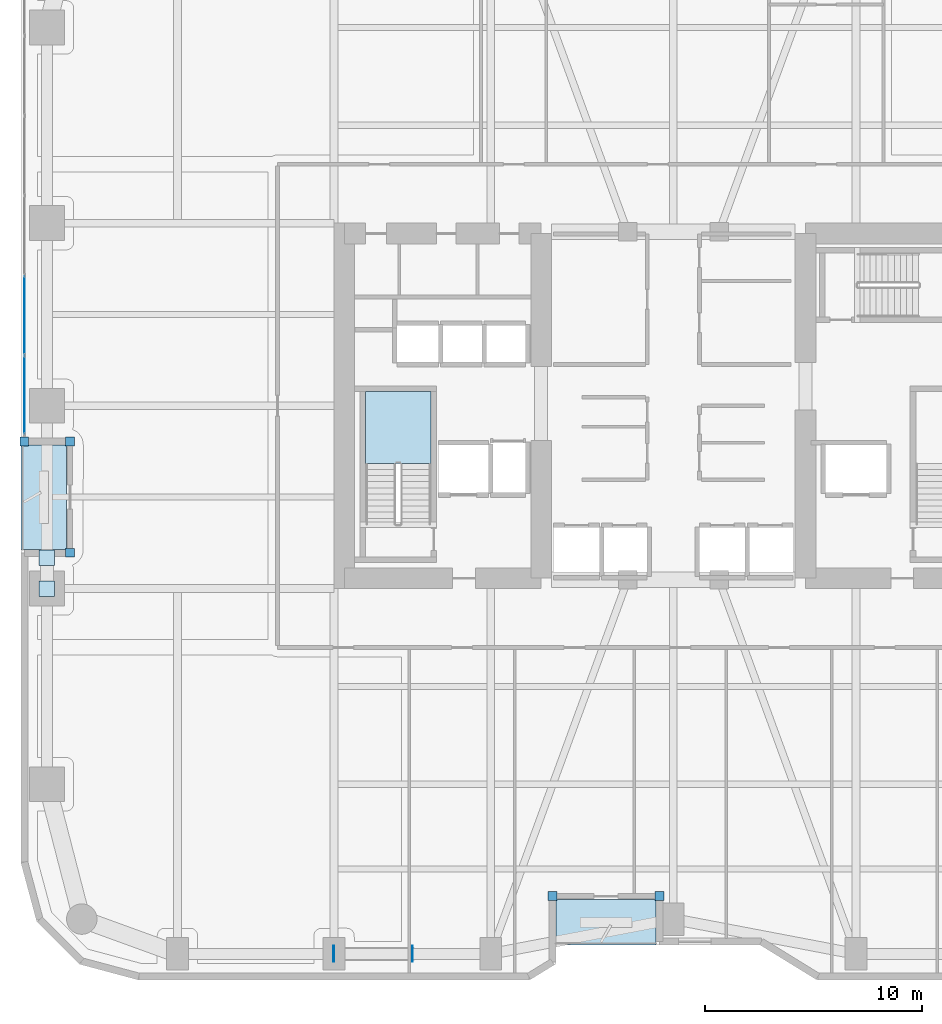
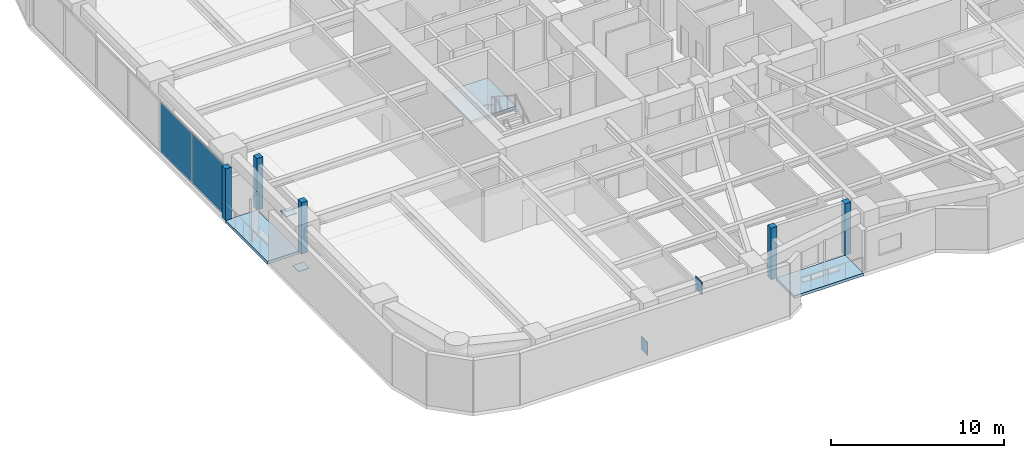
# One storey, part 19 of 29: 11 plates, 3 slabs, 2 elements without a shape of their own.
"""IFC4 building model written with IfcOpenShell, lengths in metres."""

import ifcopenshell
import ifcopenshell.guid

model = None  # the IFC model being written
_history = None  # IfcOwnerHistory: only IFC2X3 demands one
_inside = {}  # id of a spatial element -> (the spatial element, [elements in it])
_under = {}  # id of a project, library or spatial element -> (it, [spatial elements below it])
_declared = {}  # id of a project -> (the project, [libraries it declares])
_typed = {}  # id of a type object -> (the type object, [elements of that type])
_made_of = {}  # id of a material, layer set ... -> (it, [elements and type objects made of it])


def new_model(schema):
    """Start an empty IFC model of exactly this schema.

    Asked for "IFC4X3", IfcOpenShell would pick the latest addendum, in which some entities
    have other attributes; the version numbers below select the first issue.
    IFC2X3 requires an IfcOwnerHistory on every rooted entity: one is made here for all.
    """
    global model, _history
    if schema == "IFC4X3":
        model = ifcopenshell.file(schema_version=(4, 3, 0, 0))
    else:
        model = ifcopenshell.file(schema=schema)
    _inside.clear()
    _under.clear()
    _declared.clear()
    _typed.clear()
    _made_of.clear()
    _history = None
    if model.schema == "IFC2X3":
        org = make("IfcOrganization", Name="unknown")
        user = make(
            "IfcPersonAndOrganization",
            ThePerson=make("IfcPerson", FamilyName="unknown"),
            TheOrganization=org,
        )
        app = make(
            "IfcApplication",
            ApplicationDeveloper=org,
            Version="unknown",
            ApplicationFullName="unknown",
            ApplicationIdentifier="unknown",
        )
        _history = make(
            "IfcOwnerHistory",
            OwningUser=user,
            OwningApplication=app,
            ChangeAction="ADDED",
            CreationDate=0,
        )
    return model


def make(cls, **values):
    """One entity of the class cls with the attributes given. An attribute that is None is left unset."""
    return model.create_entity(
        cls, **{name: value for name, value in values.items() if value is not None}
    )


def rooted(cls, **values):
    """An entity with a GlobalId (a new one), such as an element, a storey or a relation."""
    return make(cls, GlobalId=ifcopenshell.guid.new(), OwnerHistory=_history, **values)


def si_unit(unit_type, name, prefix=None):
    """IfcSIUnit, for example si_unit("LENGTHUNIT", "METRE", prefix="MILLI")."""
    return make("IfcSIUnit", UnitType=unit_type, Prefix=prefix, Name=name)


def assignment(units):
    """IfcUnitAssignment: the units of a project."""
    return None if units is None else make("IfcUnitAssignment", Units=units)


def point(xyz):
    """IfcCartesianPoint."""
    return None if xyz is None else make("IfcCartesianPoint", Coordinates=xyz)


def direction(xyz):
    """IfcDirection."""
    return None if xyz is None else make("IfcDirection", DirectionRatios=xyz)


def frame(location, z_axis=None, x_axis=None):
    """IfcAxis2Placement3D, a coordinate frame: its origin and axes. An axis left out is left unset."""
    return make(
        "IfcAxis2Placement3D",
        Location=point(location),
        Axis=direction(z_axis),
        RefDirection=direction(x_axis),
    )


def frame_2d(location, x_axis=None):
    """IfcAxis2Placement2D, a coordinate frame in the plane: its origin and x axis."""
    return make(
        "IfcAxis2Placement2D", Location=point(location), RefDirection=direction(x_axis)
    )


def origin():
    """The frame at (0, 0, 0) with its axes left unset."""
    return frame((0.0, 0.0, 0.0))


def origin_2d():
    """The frame at (0, 0) in the plane with its x axis left unset."""
    return frame_2d((0.0, 0.0))


def place(relative_to, where):
    """IfcLocalPlacement: puts the frame where relative to a parent placement (None: the world)."""
    return make(
        "IfcLocalPlacement", PlacementRelTo=relative_to, RelativePlacement=where
    )


def context(
    kind, dimensions, precision=None, world=None, true_north=None, identifier=None
):
    """IfcGeometricRepresentationContext, for example the 3D "Model" context."""
    return make(
        "IfcGeometricRepresentationContext",
        ContextIdentifier=identifier,
        ContextType=kind,
        CoordinateSpaceDimension=dimensions,
        Precision=precision,
        WorldCoordinateSystem=world,
        TrueNorth=true_north,
    )


def subcontext(parent, identifier, kind, view, scale=None):
    """IfcGeometricRepresentationSubContext, for example "Body" below "Model"."""
    return make(
        "IfcGeometricRepresentationSubContext",
        ContextIdentifier=identifier,
        ContextType=kind,
        ParentContext=parent,
        TargetScale=scale,
        TargetView=view,
    )


def project(units=None, contexts=None):
    """IfcProject with its units and contexts."""
    return rooted(
        "IfcProject",
        Name="project",
        RepresentationContexts=contexts,
        UnitsInContext=assignment(units),
    )


def spatial(cls, under=None, at=None, **own):
    """A site, building, storey or space (cls), placed at a placement, below another one or the project."""
    s = rooted(cls, ObjectPlacement=at, **own)
    if under is not None:
        _under.setdefault(under.id(), (under, []))[1].append(s)
    return s


def polyline(points):
    """IfcPolyline through the points."""
    return make("IfcPolyline", Points=[point(p) for p in points])


def profile(cls, at=None, kind="AREA", **sizes):
    """A parametric profile (cls). Its sizes go by their IFC names, for example OverallWidth=200.0."""
    return make(cls, ProfileType=kind, Position=at, **sizes)


def rectangle(**sizes):
    """IfcRectangleProfileDef."""
    return profile("IfcRectangleProfileDef", **sizes)


def outline(outer, holes=None, kind="AREA"):
    """IfcArbitraryClosedProfileDef: a profile drawn as a closed curve; with holes, ...WithVoids."""
    if holes is None:
        return make("IfcArbitraryClosedProfileDef", ProfileType=kind, OuterCurve=outer)
    return make(
        "IfcArbitraryProfileDefWithVoids",
        ProfileType=kind,
        OuterCurve=outer,
        InnerCurves=holes,
    )


def extrude(swept, where, along, depth):
    """IfcExtrudedAreaSolid: the profile swept, set in the frame where, extruded along a direction by depth."""
    return make(
        "IfcExtrudedAreaSolid",
        SweptArea=swept,
        Position=where,
        ExtrudedDirection=direction(along),
        Depth=depth,
    )


def shape(context_of_items, identifier, shape_type, items):
    """IfcShapeRepresentation: the items that make up one representation, for example the "Body"."""
    return make(
        "IfcShapeRepresentation",
        ContextOfItems=context_of_items,
        RepresentationIdentifier=identifier,
        RepresentationType=shape_type,
        Items=items,
    )


def material(Name=None, Category=None):
    """IfcMaterial."""
    return make("IfcMaterial", Name=Name, Category=Category)


def layer(
    of_material, thickness, ventilated=None, Name=None, Category=None, Priority=None
):
    """IfcMaterialLayer: one layer of a wall or slab, of a material (None: an air gap)."""
    return make(
        "IfcMaterialLayer",
        Material=of_material,
        LayerThickness=thickness,
        IsVentilated=ventilated,
        Name=Name,
        Category=Category,
        Priority=Priority,
    )


def layer_set(layers, Name=None):
    """IfcMaterialLayerSet."""
    return make("IfcMaterialLayerSet", MaterialLayers=layers, LayerSetName=Name)


def made_of(thing, what):
    """Note that an element or type object is made of a material, layer set ...; save() writes the relation."""
    if what is not None:
        _made_of.setdefault(what.id(), (what, []))[1].append(thing)
    return thing


def type_object(cls, material=None, **own):
    """A type object (cls), such as IfcWallType, which elements share."""
    return made_of(rooted(cls, **own), material)


def element(
    cls,
    number,
    at=None,
    inside=None,
    cuts=None,
    type_object=None,
    material=None,
    context=None,
    identifier="Body",
    shape_type=None,
    held_by="IfcProductDefinitionShape",
    body=None,
    shapes=None,
    **own,
):
    """One element of the class cls, such as IfcWall. Its Tag is "e" and its number.

    at: its placement. inside: the storey or other place that contains it. cuts: it is an
    opening in that element (IfcRelVoidsElement). A single representation is given by context,
    identifier, shape_type and body (its items); several are given by shapes. held_by: the class
    of the entity that holds the representations. save() writes the other relations.
    """
    e = rooted(cls, Tag="e%d" % number, ObjectPlacement=at, **own)
    if body is not None:
        shapes = [shape(context, identifier, shape_type, body)]
    if shapes is not None:
        e.Representation = make(held_by, Representations=shapes)
    if inside is not None:
        _inside.setdefault(inside.id(), (inside, []))[1].append(e)
    if cuts is not None:
        rooted(
            "IfcRelVoidsElement", RelatingBuildingElement=cuts, RelatedOpeningElement=e
        )
    if type_object is not None:
        _typed.setdefault(type_object.id(), (type_object, []))[1].append(e)
    return made_of(e, material)


def aggregate(whole, parts):
    """IfcRelAggregates: a whole, such as a stair, and the parts it consists of."""
    return rooted("IfcRelAggregates", RelatingObject=whole, RelatedObjects=parts)


def save(model, path):
    """Write the relations noted so far, then the file.

    IfcRelAggregates (storeys below a building ...), IfcRelContainedInSpatialStructure (elements
    in a storey), IfcRelDefinesByType, IfcRelAssociatesMaterial and IfcRelDeclares: one each for
    every whole, place, type object, material and project.
    """
    for whole, parts in _under.values():
        aggregate(whole, parts)
    for where, things in _inside.values():
        rooted(
            "IfcRelContainedInSpatialStructure",
            RelatedElements=things,
            RelatingStructure=where,
        )
    for kind, things in _typed.values():
        rooted("IfcRelDefinesByType", RelatedObjects=things, RelatingType=kind)
    for what, things in _made_of.values():
        rooted("IfcRelAssociatesMaterial", RelatedObjects=things, RelatingMaterial=what)
    for by, libraries in _declared.values():
        rooted("IfcRelDeclares", RelatingContext=by, RelatedDefinitions=libraries)
    model.write(path)


model = new_model("IFC4")

# Units and contexts
model_context = context("Model", 3, precision=1e-05, world=origin(), true_north=direction((0.0, 1.0)))
body_context = subcontext(model_context, "Body", "Model", "MODEL_VIEW")
ifc_project = project(units=[si_unit("LENGTHUNIT", "METRE"), si_unit("AREAUNIT", "SQUARE_METRE"), si_unit("VOLUMEUNIT", "CUBIC_METRE"), si_unit("PLANEANGLEUNIT", "RADIAN"), si_unit("MASSUNIT", "GRAM", prefix="KILO")], contexts=[model_context])

# Site, building, storey
site_placement = place(None, origin())
site = spatial("IfcSite", under=ifc_project, at=site_placement, CompositionType="ELEMENT")
building_placement = place(site_placement, origin())
building = spatial("IfcBuilding", under=site, at=building_placement, Name="Kiyonajd Concourse Tower", CompositionType="ELEMENT")
storey_placement = place(building_placement, frame((0.0, 0.0, 48.89990234375)))
storey = spatial("IfcBuildingStorey", under=building, at=storey_placement, Name="L13", CompositionType="ELEMENT", Elevation=48.89990234375)

# Plates
ifc_material_1 = material(Name="Steel ASTM A572 Grade 50", Category="steel")
ifc_layer_1 = layer(ifc_material_1, 0.028076171875)
ifc_layer_set_1 = layer_set([ifc_layer_1], Name="Steel ASTM A572 Grade 50")
plate_type_1 = type_object("IfcPlateType", Name="PL-CAP-450", PredefinedType="USERDEFINED", material=ifc_layer_set_1)
for number, where, z_axis, x_axis, name in (
    (1, (32.3916015625, 10.800048828125, -0.17333984375), (0.0, 0.0, 1.0), (-1.0, 0.0, 0.0), "L13 Hollow Brace End Cap Plate PBS"),
    (2, (36.008544921875, 10.800048828125, 2.83056640625), (0.0, 0.0, 1.0), (1.0, 0.0, 0.0), "L13 Hollow Brace Top Cap Plate PBS"),
):
    element("IfcPlate", number, at=place(storey_placement, frame(where, z_axis=z_axis, x_axis=x_axis)), inside=storey, type_object=plate_type_1, Name=name, ObjectType="CAP PLATE", PredefinedType="USERDEFINED", context=body_context, shape_type="SweptSolid", body=[
        extrude(rectangle(XDim=0.035888671875, YDim=0.72998046875, at=origin_2d()), origin(), (0.0, 0.0, 1.0), 0.93310546875),
    ])
for number, where, z_axis, x_axis, name in (
    (3, (19.199951171875, 27.59521484375, 0.27587890625), (0.0, 0.0, 1.0), (1.0, 0.0, 0.0), "L13 Hollow Brace End Cap Plate PBW"),
    (4, (19.199951171875, 29.004638671875, 3.2861328125), (0.0, 0.0, 1.0), (1.0, 0.0, 0.0), "L13 Hollow Brace Top Cap Plate PBW"),
):
    element("IfcPlate", number, at=place(storey_placement, frame(where, z_axis=z_axis, x_axis=x_axis)), inside=storey, type_object=plate_type_1, Name=name, ObjectType="CAP PLATE", PredefinedType="USERDEFINED", context=body_context, shape_type="SweptSolid", body=[
        extrude(rectangle(XDim=0.7099609375, YDim=0.7099609375, at=origin_2d()), origin(), (0.0, 0.0, 1.0), 0.028076171875),
    ])

# Curtain wall, plates
ifc_material_2 = material(Name="Thermally Broken Anodised Aluminium", Category="aluminium")
ifc_layer_2 = layer(ifc_material_2, 0.179931640625)
ifc_layer_set_2 = layer_set([ifc_layer_2], Name="Thermally Broken Anodised Aluminium")
curtain_wall_type = type_object("IfcCurtainWallType", Name="CW-SYS-02", PredefinedType="NOTDEFINED", material=ifc_layer_set_2)
curtain_wall_placement = place(storey_placement, origin())
curtain_wall = element("IfcCurtainWall", 5, at=curtain_wall_placement, inside=storey, type_object=curtain_wall_type, Name="L13 Unitised Curtain Wall CW2", PredefinedType="NOTDEFINED")
ifc_material_3 = material(Name="Double Low-E Insulated Glass", Category="glass")
ifc_layer_3 = layer(ifc_material_3, 0.028076171875)
ifc_layer_set_3 = layer_set([ifc_layer_3], Name="Double Low-E Insulated Glass")
plate_type_2 = type_object("IfcPlateType", Name="PL-CW-VIS28", PredefinedType="CURTAIN_PANEL", material=ifc_layer_set_3)
plate_1_placement = place(storey_placement, frame((18.159912109375, 36.5029296875, 0.06494140625), z_axis=(0.0, 0.0, 1.0), x_axis=(0.0, 1.0, 0.0)))
plate_1 = element("IfcPlate", 6, at=plate_1_placement, type_object=plate_type_2, Name="CW2 panel 1.1", PredefinedType="CURTAIN_PANEL", context=body_context, shape_type="SweptSolid", body=[
    extrude(rectangle(XDim=3.57568359375, YDim=0.028076171875, at=origin_2d()), origin(), (0.0, 0.0, 1.0), 3.510009765625),
])
plate_2_placement = place(storey_placement, frame((18.159912109375, 40.15966796875, 0.06494140625), z_axis=(0.0, 0.0, 1.0), x_axis=(0.0, 1.0, 0.0)))
plate_2 = element("IfcPlate", 7, at=plate_2_placement, type_object=plate_type_2, Name="CW2 panel 2.1", PredefinedType="CURTAIN_PANEL", context=body_context, shape_type="SweptSolid", body=[
    extrude(rectangle(XDim=3.608154296875, YDim=0.028076171875, at=origin_2d()), origin(), (0.0, 0.0, 1.0), 3.510009765625),
])
aggregate(curtain_wall, [plate_1, plate_2])

# Plates
ifc_layer_4 = layer(ifc_material_2, 0.39990234375)
ifc_layer_set_4 = layer_set([ifc_layer_4], Name="Thermally Broken Anodised Aluminium")
plate_type_3 = type_object("IfcPlateType", Name="PL-JMB-400", PredefinedType="USERDEFINED", material=ifc_layer_set_4)
for number, where, z_axis, x_axis, name in (
    (8, (20.260009765625, 29.239990234375, 0.0), (0.0, 0.0, 1.0), (1.0, 0.0, 0.0), "L13 Facade Jamb Closure Plate 01"),
    (9, (20.260009765625, 34.360107421875, 0.0), (0.0, 0.0, 1.0), (1.0, 0.0, 0.0), "L13 Facade Jamb Closure Plate 02"),
    (10, (18.159912109375, 34.360107421875, 0.0), (0.0, 0.0, 1.0), (1.0, 0.0, 0.0), "L13 Facade Jamb Closure Plate 03"),
    (11, (47.360107421875, 13.4599609375, 0.0), (0.0, 0.0, 1.0), (1.0, 0.0, 0.0), "L13 Facade Jamb Closure Plate 13"),
    (12, (42.43994140625, 13.4599609375, 0.0), (0.0, 0.0, 1.0), (1.0, 0.0, 0.0), "L13 Facade Jamb Closure Plate 14"),
):
    element("IfcPlate", number, at=place(storey_placement, frame(where, z_axis=z_axis, x_axis=x_axis)), inside=storey, type_object=plate_type_3, Name=name, ObjectType="JAMB PLATE", PredefinedType="USERDEFINED", context=body_context, shape_type="SweptSolid", body=[
        extrude(rectangle(XDim=0.39990234375, YDim=0.39990234375, at=origin_2d()), origin(), (0.0, 0.0, 1.0), 3.639892578125),
    ])

# Stair, slab
ifc_material_4 = material(Name="Concrete C40/50", Category="concrete")
stair_type = type_object("IfcStairType", Name="ST-DLG-22R", PredefinedType="HALF_TURN_STAIR", material=ifc_material_4)
stair_placement = place(storey_placement, origin())
stair = element("IfcStair", 13, at=stair_placement, inside=storey, type_object=stair_type, Name="L13 Protected Exit Stair ST1", PredefinedType="HALF_TURN_STAIR")
ifc_layer_5 = layer(ifc_material_4, 0.199951171875)
ifc_layer_set_5 = layer_set([ifc_layer_5], Name="Concrete C40/50")
slab_type_1 = type_object("IfcSlabType", Name="SL-LND-200", PredefinedType="LANDING", material=ifc_layer_set_5)
slab_1_placement = place(storey_placement, frame((0.0, 0.0, 1.75)))
slab_1 = element("IfcSlab", 14, at=slab_1_placement, type_object=slab_type_1, Name="ST1 landing 1", PredefinedType="LANDING", context=body_context, shape_type="SweptSolid", body=[
    extrude(outline(polyline([(36.85009765625, 33.35009765625), (36.85009765625, 36.64990234375), (33.85009765625, 36.64990234375), (33.85009765625, 33.35009765625), (36.85009765625, 33.35009765625)])), origin(), (0.0, 0.0, 1.0), 0.2001953125),
])
aggregate(stair, [slab_1])

# Slabs
ifc_material_5 = material(Name="Precast concrete C50/60", Category="concrete")
ifc_layer_6 = layer(ifc_material_5, 0.199951171875)
ifc_layer_set_6 = layer_set([ifc_layer_6], Name="Precast concrete C50/60")
slab_type_2 = type_object("IfcSlabType", Name="SL-LOG-200", PredefinedType="FLOOR", material=ifc_layer_set_6)
slab_2_placement = place(storey_placement, frame((0.0, 0.0, -0.199951171875)))
element("IfcSlab", 15, at=slab_2_placement, inside=storey, type_object=slab_type_2, Name="L13 Recessed Engawa Loggia Terrace Slab LOG-S", PredefinedType="FLOOR", context=body_context, shape_type="SweptSolid", body=[
    extrude(outline(polyline([(42.60009765625, 11.199951171875), (47.199951171875, 11.199951171875), (47.199951171875, 13.300048828125), (42.60009765625, 13.300048828125), (42.60009765625, 11.199951171875)])), origin(), (0.0, 0.0, 1.0), 0.199951171875),
])
slab_3_placement = place(storey_placement, frame((0.0, 0.0, -0.199951171875)))
element("IfcSlab", 16, at=slab_3_placement, inside=storey, type_object=slab_type_2, Name="L13 Recessed Engawa Loggia Terrace Slab LOG-W", PredefinedType="FLOOR", context=body_context, shape_type="SweptSolid", body=[
    extrude(outline(polyline([(18.0, 29.39990234375), (20.10009765625, 29.39990234375), (20.10009765625, 34.199951171875), (18.0, 34.199951171875), (18.0, 29.39990234375)])), origin(), (0.0, 0.0, 1.0), 0.199951171875),
])

save(model, "model.ifc")
